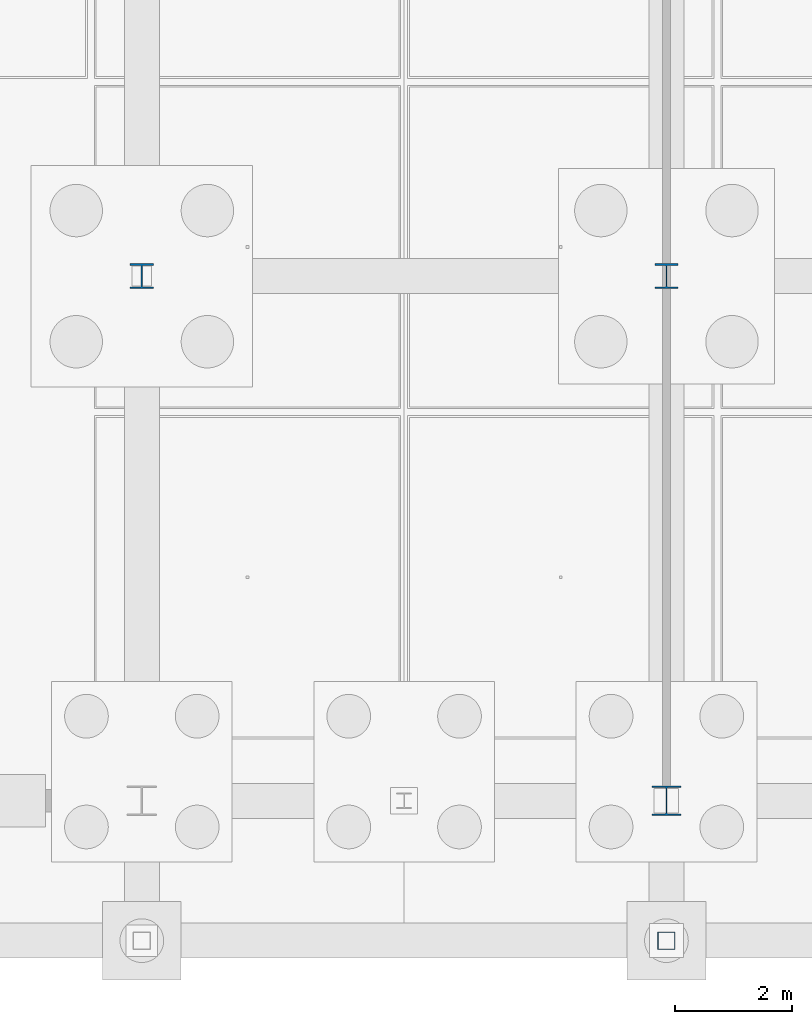
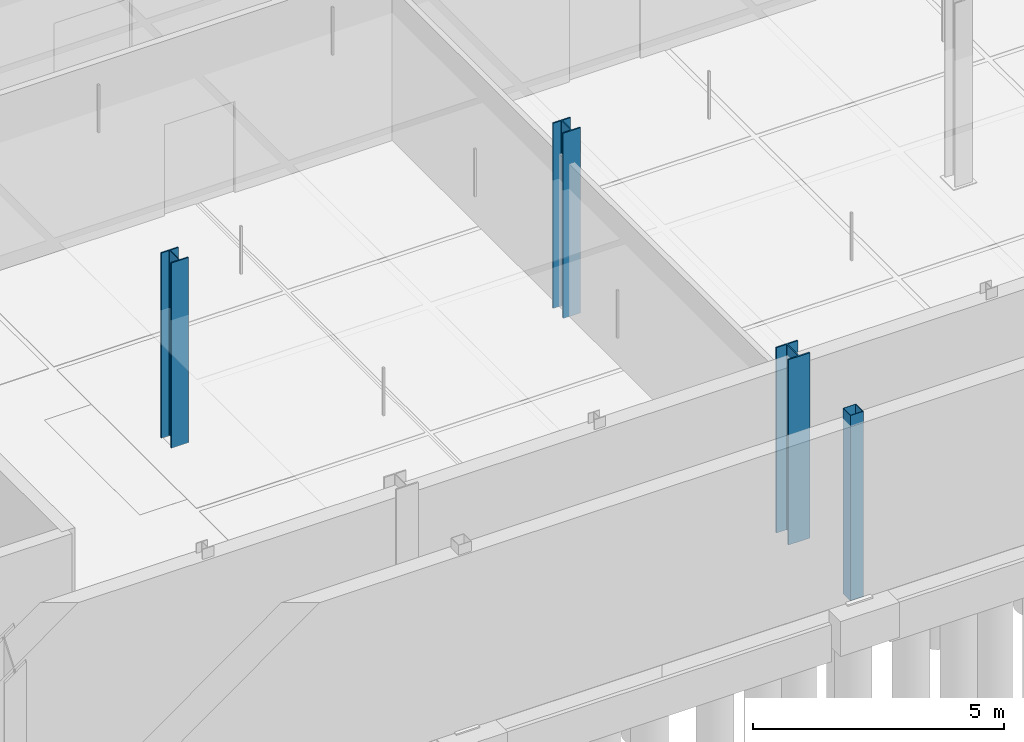
# One storey, part 6 of 48: 4 columns.
"""IFC4 building model written with IfcOpenShell, lengths in metres."""

import ifcopenshell
import ifcopenshell.guid

model = None  # the IFC model being written
_history = None  # IfcOwnerHistory: only IFC2X3 demands one
_inside = {}  # id of a spatial element -> (the spatial element, [elements in it])
_under = {}  # id of a project, library or spatial element -> (it, [spatial elements below it])
_declared = {}  # id of a project -> (the project, [libraries it declares])
_typed = {}  # id of a type object -> (the type object, [elements of that type])
_made_of = {}  # id of a material, layer set ... -> (it, [elements and type objects made of it])


def new_model(schema):
    """Start an empty IFC model of exactly this schema.

    Asked for "IFC4X3", IfcOpenShell would pick the latest addendum, in which some entities
    have other attributes; the version numbers below select the first issue.
    IFC2X3 requires an IfcOwnerHistory on every rooted entity: one is made here for all.
    """
    global model, _history
    if schema == "IFC4X3":
        model = ifcopenshell.file(schema_version=(4, 3, 0, 0))
    else:
        model = ifcopenshell.file(schema=schema)
    _inside.clear()
    _under.clear()
    _declared.clear()
    _typed.clear()
    _made_of.clear()
    _history = None
    if model.schema == "IFC2X3":
        org = make("IfcOrganization", Name="unknown")
        user = make(
            "IfcPersonAndOrganization",
            ThePerson=make("IfcPerson", FamilyName="unknown"),
            TheOrganization=org,
        )
        app = make(
            "IfcApplication",
            ApplicationDeveloper=org,
            Version="unknown",
            ApplicationFullName="unknown",
            ApplicationIdentifier="unknown",
        )
        _history = make(
            "IfcOwnerHistory",
            OwningUser=user,
            OwningApplication=app,
            ChangeAction="ADDED",
            CreationDate=0,
        )
    return model


def make(cls, **values):
    """One entity of the class cls with the attributes given. An attribute that is None is left unset."""
    return model.create_entity(
        cls, **{name: value for name, value in values.items() if value is not None}
    )


def rooted(cls, **values):
    """An entity with a GlobalId (a new one), such as an element, a storey or a relation."""
    return make(cls, GlobalId=ifcopenshell.guid.new(), OwnerHistory=_history, **values)


def si_unit(unit_type, name, prefix=None):
    """IfcSIUnit, for example si_unit("LENGTHUNIT", "METRE", prefix="MILLI")."""
    return make("IfcSIUnit", UnitType=unit_type, Prefix=prefix, Name=name)


def assignment(units):
    """IfcUnitAssignment: the units of a project."""
    return None if units is None else make("IfcUnitAssignment", Units=units)


def point(xyz):
    """IfcCartesianPoint."""
    return None if xyz is None else make("IfcCartesianPoint", Coordinates=xyz)


def direction(xyz):
    """IfcDirection."""
    return None if xyz is None else make("IfcDirection", DirectionRatios=xyz)


def frame(location, z_axis=None, x_axis=None):
    """IfcAxis2Placement3D, a coordinate frame: its origin and axes. An axis left out is left unset."""
    return make(
        "IfcAxis2Placement3D",
        Location=point(location),
        Axis=direction(z_axis),
        RefDirection=direction(x_axis),
    )


def frame_2d(location, x_axis=None):
    """IfcAxis2Placement2D, a coordinate frame in the plane: its origin and x axis."""
    return make(
        "IfcAxis2Placement2D", Location=point(location), RefDirection=direction(x_axis)
    )


def origin():
    """The frame at (0, 0, 0) with its axes left unset."""
    return frame((0.0, 0.0, 0.0))


def origin_2d():
    """The frame at (0, 0) in the plane with its x axis left unset."""
    return frame_2d((0.0, 0.0))


def place(relative_to, where):
    """IfcLocalPlacement: puts the frame where relative to a parent placement (None: the world)."""
    return make(
        "IfcLocalPlacement", PlacementRelTo=relative_to, RelativePlacement=where
    )


def context(
    kind, dimensions, precision=None, world=None, true_north=None, identifier=None
):
    """IfcGeometricRepresentationContext, for example the 3D "Model" context."""
    return make(
        "IfcGeometricRepresentationContext",
        ContextIdentifier=identifier,
        ContextType=kind,
        CoordinateSpaceDimension=dimensions,
        Precision=precision,
        WorldCoordinateSystem=world,
        TrueNorth=true_north,
    )


def subcontext(parent, identifier, kind, view, scale=None):
    """IfcGeometricRepresentationSubContext, for example "Body" below "Model"."""
    return make(
        "IfcGeometricRepresentationSubContext",
        ContextIdentifier=identifier,
        ContextType=kind,
        ParentContext=parent,
        TargetScale=scale,
        TargetView=view,
    )


def project(units=None, contexts=None):
    """IfcProject with its units and contexts."""
    return rooted(
        "IfcProject",
        Name="project",
        RepresentationContexts=contexts,
        UnitsInContext=assignment(units),
    )


def spatial(cls, under=None, at=None, **own):
    """A site, building, storey or space (cls), placed at a placement, below another one or the project."""
    s = rooted(cls, ObjectPlacement=at, **own)
    if under is not None:
        _under.setdefault(under.id(), (under, []))[1].append(s)
    return s


def profile(cls, at=None, kind="AREA", **sizes):
    """A parametric profile (cls). Its sizes go by their IFC names, for example OverallWidth=200.0."""
    return make(cls, ProfileType=kind, Position=at, **sizes)


def hollow_rectangle(**sizes):
    """IfcRectangleHollowProfileDef."""
    return profile("IfcRectangleHollowProfileDef", **sizes)


def i_section(**sizes):
    """IfcIShapeProfileDef."""
    return profile("IfcIShapeProfileDef", **sizes)


def extrude(swept, where, along, depth):
    """IfcExtrudedAreaSolid: the profile swept, set in the frame where, extruded along a direction by depth."""
    return make(
        "IfcExtrudedAreaSolid",
        SweptArea=swept,
        Position=where,
        ExtrudedDirection=direction(along),
        Depth=depth,
    )


def shape(context_of_items, identifier, shape_type, items):
    """IfcShapeRepresentation: the items that make up one representation, for example the "Body"."""
    return make(
        "IfcShapeRepresentation",
        ContextOfItems=context_of_items,
        RepresentationIdentifier=identifier,
        RepresentationType=shape_type,
        Items=items,
    )


def material(Name=None, Category=None):
    """IfcMaterial."""
    return make("IfcMaterial", Name=Name, Category=Category)


def material_profile(
    of_material, cross_section, Name=None, Category=None, Priority=None
):
    """IfcMaterialProfile: a cross section and its material."""
    return make(
        "IfcMaterialProfile",
        Name=Name,
        Material=of_material,
        Profile=cross_section,
        Priority=Priority,
        Category=Category,
    )


def profile_set(profiles, Name=None, composite=None):
    """IfcMaterialProfileSet."""
    return make(
        "IfcMaterialProfileSet",
        Name=Name,
        MaterialProfiles=profiles,
        CompositeProfile=composite,
    )


def made_of(thing, what):
    """Note that an element or type object is made of a material, layer set ...; save() writes the relation."""
    if what is not None:
        _made_of.setdefault(what.id(), (what, []))[1].append(thing)
    return thing


def type_object(cls, material=None, **own):
    """A type object (cls), such as IfcWallType, which elements share."""
    return made_of(rooted(cls, **own), material)


def element(
    cls,
    number,
    at=None,
    inside=None,
    cuts=None,
    type_object=None,
    material=None,
    context=None,
    identifier="Body",
    shape_type=None,
    held_by="IfcProductDefinitionShape",
    body=None,
    shapes=None,
    **own,
):
    """One element of the class cls, such as IfcWall. Its Tag is "e" and its number.

    at: its placement. inside: the storey or other place that contains it. cuts: it is an
    opening in that element (IfcRelVoidsElement). A single representation is given by context,
    identifier, shape_type and body (its items); several are given by shapes. held_by: the class
    of the entity that holds the representations. save() writes the other relations.
    """
    e = rooted(cls, Tag="e%d" % number, ObjectPlacement=at, **own)
    if body is not None:
        shapes = [shape(context, identifier, shape_type, body)]
    if shapes is not None:
        e.Representation = make(held_by, Representations=shapes)
    if inside is not None:
        _inside.setdefault(inside.id(), (inside, []))[1].append(e)
    if cuts is not None:
        rooted(
            "IfcRelVoidsElement", RelatingBuildingElement=cuts, RelatedOpeningElement=e
        )
    if type_object is not None:
        _typed.setdefault(type_object.id(), (type_object, []))[1].append(e)
    return made_of(e, material)


def aggregate(whole, parts):
    """IfcRelAggregates: a whole, such as a stair, and the parts it consists of."""
    return rooted("IfcRelAggregates", RelatingObject=whole, RelatedObjects=parts)


def save(model, path):
    """Write the relations noted so far, then the file.

    IfcRelAggregates (storeys below a building ...), IfcRelContainedInSpatialStructure (elements
    in a storey), IfcRelDefinesByType, IfcRelAssociatesMaterial and IfcRelDeclares: one each for
    every whole, place, type object, material and project.
    """
    for whole, parts in _under.values():
        aggregate(whole, parts)
    for where, things in _inside.values():
        rooted(
            "IfcRelContainedInSpatialStructure",
            RelatedElements=things,
            RelatingStructure=where,
        )
    for kind, things in _typed.values():
        rooted("IfcRelDefinesByType", RelatedObjects=things, RelatingType=kind)
    for what, things in _made_of.values():
        rooted("IfcRelAssociatesMaterial", RelatedObjects=things, RelatingMaterial=what)
    for by, libraries in _declared.values():
        rooted("IfcRelDeclares", RelatingContext=by, RelatedDefinitions=libraries)
    model.write(path)


model = new_model("IFC4")

# Units and contexts
model_context = context("Model", 3, precision=1e-05, world=origin(), true_north=direction((0.0, 1.0)))
body_context = subcontext(model_context, "Body", "Model", "MODEL_VIEW")
ifc_project = project(units=[si_unit("LENGTHUNIT", "METRE"), si_unit("AREAUNIT", "SQUARE_METRE"), si_unit("VOLUMEUNIT", "CUBIC_METRE"), si_unit("PLANEANGLEUNIT", "RADIAN"), si_unit("MASSUNIT", "GRAM", prefix="KILO"), si_unit("THERMODYNAMICTEMPERATUREUNIT", "KELVIN"), si_unit("POWERUNIT", "WATT")], contexts=[model_context])

# Site, building, storey
site_placement = place(None, origin())
site = spatial("IfcSite", under=ifc_project, at=site_placement, CompositionType="ELEMENT")
building_placement = place(site_placement, origin())
building = spatial("IfcBuilding", under=site, at=building_placement, Name="Tallowbark Science Centre", CompositionType="ELEMENT")
storey_placement = place(building_placement, frame((0.0, 0.0, -4.5)))
storey = spatial("IfcBuildingStorey", under=building, at=storey_placement, Name="B1", CompositionType="ELEMENT", Elevation=-4.5)

# Columns
ifc_material_1 = material(Name="White Architectural Painted Steel Grade C350L0 (350 MPa)", Category="steel")
ifc_material_profile_1 = material_profile(ifc_material_1, hollow_rectangle(XDim=0.300048828125, YDim=0.300048828125, WallThickness=0.010009765625, at=origin_2d()), Name="300x300x10.0SHS")
ifc_profile_set_1 = profile_set([ifc_material_profile_1], Name="White Architectural Painted Steel Grade C350L0 (350 MPa)")
column_type_1 = type_object("IfcColumnType", Name="COL-SCR300", PredefinedType="COLUMN", material=ifc_profile_set_1)
column_1_placement = place(storey_placement, frame((85.5, 2.10009765625, 0.0), z_axis=(0.0, 0.0, 1.0), x_axis=(1.0, 0.0, 0.0)))
element("IfcColumn", 1, at=column_1_placement, inside=storey, type_object=column_type_1, Name="Column SCR-S04 B1", PredefinedType="COLUMN", context=body_context, shape_type="SweptSolid", body=[
    extrude(hollow_rectangle(XDim=0.300048828125, YDim=0.300048828125, WallThickness=0.010009765625, at=origin_2d()), origin(), (0.0, 0.0, 1.0), 4.5),
])
ifc_material_2 = material(Name="Structural Steel Grade 300PLUS (300 MPa)", Category="steel")
ifc_material_profile_2 = material_profile(ifc_material_2, i_section(OverallWidth=0.39990234375, OverallDepth=0.427978515625, WebThickness=0.02001953125, FlangeThickness=0.028076171875, FilletRadius=0.01611328125, at=origin_2d()), Name="400WC270")
ifc_profile_set_2 = profile_set([ifc_material_profile_2], Name="Structural Steel Grade 300PLUS (300 MPa)")
column_type_2 = type_object("IfcColumnType", Name="COL-WC400", PredefinedType="COLUMN", material=ifc_profile_set_2)
for number, where, z_axis, x_axis, name in (
    (2, (76.5, 13.5, 0.0), (0.0, 0.0, 1.0), (1.0, 0.0, 0.0), "Column CUB-M2_1 B1"),
    (3, (85.5, 13.5, 0.0), (0.0, 0.0, 1.0), (1.0, 0.0, 0.0), "Column CUB-M3_1 B1"),
):
    element("IfcColumn", number, at=place(storey_placement, frame(where, z_axis=z_axis, x_axis=x_axis)), inside=storey, type_object=column_type_2, Name=name, PredefinedType="COLUMN", context=body_context, shape_type="SweptSolid", body=[
        extrude(i_section(OverallWidth=0.39990234375, OverallDepth=0.427978515625, WebThickness=0.02001953125, FlangeThickness=0.028076171875, FilletRadius=0.01611328125, at=origin_2d()), origin(), (0.0, 0.0, 1.0), 4.5),
    ])
ifc_material_profile_3 = material_profile(ifc_material_2, i_section(OverallWidth=0.5, OverallDepth=0.513916015625, WebThickness=0.02197265625, FlangeThickness=0.031982421875, FilletRadius=0.01611328125, at=origin_2d()), Name="500WC340")
ifc_profile_set_3 = profile_set([ifc_material_profile_3], Name="Structural Steel Grade 300PLUS (300 MPa)")
column_type_3 = type_object("IfcColumnType", Name="COL-WC500", PredefinedType="COLUMN", material=ifc_profile_set_3)
column_2_placement = place(storey_placement, frame((85.5, 4.5, 0.0), z_axis=(0.0, 0.0, 1.0), x_axis=(1.0, 0.0, 0.0)))
element("IfcColumn", 4, at=column_2_placement, inside=storey, type_object=column_type_3, Name="Column CUB-M3_0 B1", PredefinedType="COLUMN", context=body_context, shape_type="SweptSolid", body=[
    extrude(i_section(OverallWidth=0.5, OverallDepth=0.513916015625, WebThickness=0.02197265625, FlangeThickness=0.031982421875, FilletRadius=0.01611328125, at=origin_2d()), origin(), (0.0, 0.0, 1.0), 4.5),
])

save(model, "model.ifc")
